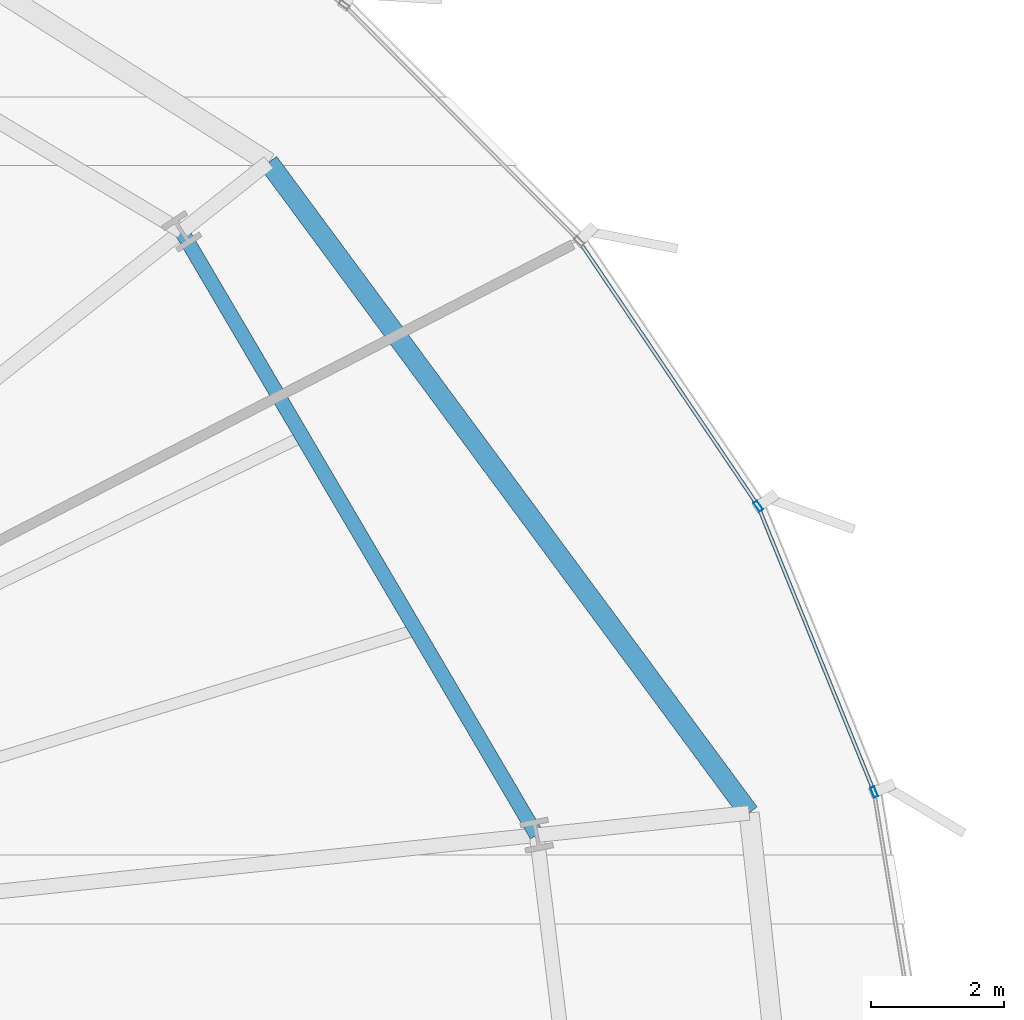
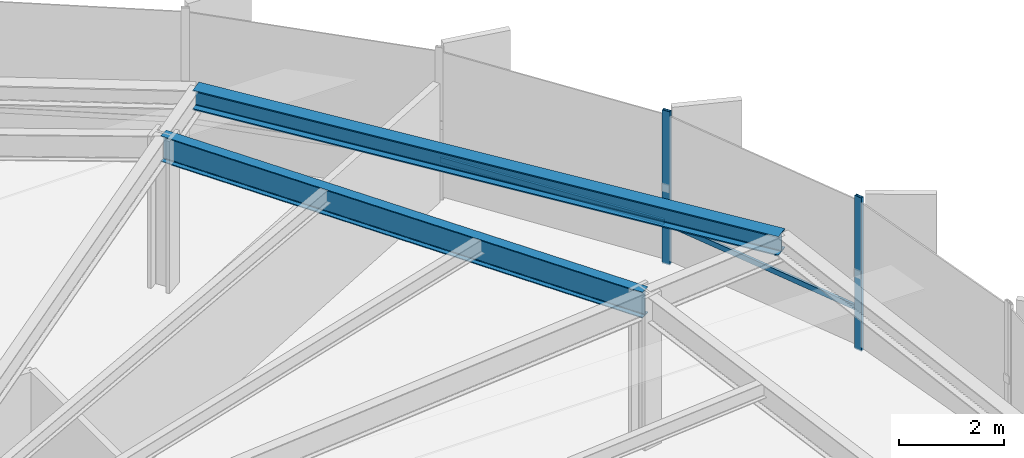
# One storey, part 23 of 39: 4 members, 2 beams, 1 element without a shape of its own.
"""IFC4 building model written with IfcOpenShell, lengths in metres."""

from ifc_helpers import new_model, si_unit, direction, frame, origin, origin_2d, place, context, subcontext, project, spatial, hollow_rectangle, i_section, extrude, source, transform, mapped, material, layer, layer_set, material_profile, profile_set, type_object, element, aggregate, save


model = new_model("IFC4")

# Units and contexts
model_context = context("Model", 3, precision=1e-05, world=origin(), true_north=direction((0.0, 1.0)))
body_context = subcontext(model_context, "Body", "Model", "MODEL_VIEW")
ifc_project = project(units=[si_unit("LENGTHUNIT", "METRE"), si_unit("AREAUNIT", "SQUARE_METRE"), si_unit("VOLUMEUNIT", "CUBIC_METRE"), si_unit("PLANEANGLEUNIT", "RADIAN"), si_unit("MASSUNIT", "GRAM", prefix="KILO"), si_unit("THERMODYNAMICTEMPERATUREUNIT", "KELVIN")], contexts=[model_context])

# Site, building, storey
site_placement = place(None, origin())
site = spatial("IfcSite", under=ifc_project, at=site_placement, CompositionType="ELEMENT")
building_placement = place(site_placement, origin())
building = spatial("IfcBuilding", under=site, at=building_placement, Name="Kethvar Cultural Tower", CompositionType="ELEMENT")
storey_placement = place(building_placement, frame((0.0, 0.0, 41.0)))
storey = spatial("IfcBuildingStorey", under=building, at=storey_placement, Name="L09", CompositionType="ELEMENT", Elevation=41.0)

# Beams
ifc_material_1 = material(Name="Steel S355J2", Category="steel")
ifc_material_profile_1 = material_profile(ifc_material_1, i_section(OverallWidth=0.219970703125, OverallDepth=0.60009765625, WebThickness=0.011962890625, FlangeThickness=0.01904296875, FilletRadius=0.02392578125, at=origin_2d()), Name="Steel S355J2 — IPE600")
ifc_profile_set_1 = profile_set([ifc_material_profile_1], Name="Steel S355J2 — IPE600")
beam_type_1 = type_object("IfcBeamType", Name="BM-IPE600", PredefinedType="BEAM", material=ifc_profile_set_1)
shared_shape_1 = source(origin(), body_context, "Body", "SweptSolid", [
    extrude(i_section(OverallWidth=0.219970703125, OverallDepth=0.60009765625, WebThickness=0.011962890625, FlangeThickness=0.01904296875, FilletRadius=0.02392578125, at=origin_2d()), origin(), (0.0, 0.0, 1.0), 10.496337890625),
])
beam_1_placement = place(storey_placement, frame((73.65673828125, 33.14208984375, 3.248046875), z_axis=(-0.506871712474, 0.862021500366, 0.0), x_axis=(-0.862021500366, -0.506871712474, 0.0)))
element("IfcBeam", 1, at=beam_1_placement, inside=storey, type_object=beam_type_1, Name="L09 Column Ring Tie Beam CR-01", PredefinedType="BEAM", context=body_context, shape_type="MappedRepresentation", body=[
    mapped(shared_shape_1, transform((0.0, 0.0, 0.0), scale=1.0)),
])
ifc_material_profile_2 = material_profile(ifc_material_1, i_section(OverallWidth=0.300048828125, OverallDepth=0.449951171875, WebThickness=0.013916015625, FlangeThickness=0.02587890625, FilletRadius=0.027099609375, at=origin_2d()), Name="Steel S355J2 — HEB450")
ifc_profile_set_2 = profile_set([ifc_material_profile_2], Name="Steel S355J2 — HEB450")
beam_type_2 = type_object("IfcBeamType", Name="BM-SP450", PredefinedType="SPANDREL", material=ifc_profile_set_2)
shared_shape_2 = source(origin(), body_context, "Body", "SweptSolid", [
    extrude(i_section(OverallWidth=0.300048828125, OverallDepth=0.449951171875, WebThickness=0.013916015625, FlangeThickness=0.02587890625, FilletRadius=0.027099609375, at=origin_2d()), origin(), (0.0, 0.0, 1.0), 12.11767578125),
])
beam_2_placement = place(storey_placement, frame((76.83935546875, 33.4755859375, 3.322998046875), z_axis=(-0.594165574562, 0.804342756544, 0.0), x_axis=(-0.804342756544, -0.594165574562, 0.0)))
element("IfcBeam", 2, at=beam_2_placement, inside=storey, type_object=beam_type_2, Name="L09 Perimeter Spandrel Beam SP-01", PredefinedType="SPANDREL", context=body_context, shape_type="MappedRepresentation", body=[
    mapped(shared_shape_2, transform((0.0, 0.0, 0.0), scale=1.0)),
])

# Curtain wall, members
ifc_material_2 = material(Name="Aluminium 6063-T6", Category="aluminium")
ifc_layer = layer(ifc_material_2, 0.179931640625, Name="Aluminium 6063-T6", Category="aluminium")
ifc_layer_set = layer_set([ifc_layer], Name="Aluminium 6063-T6 (180 mm)")
curtain_wall_type = type_object("IfcCurtainWallType", Name="CW-SYS-02-Z1", PredefinedType="NOTDEFINED", material=ifc_layer_set)
curtain_wall_placement = place(storey_placement, origin())
curtain_wall = element("IfcCurtainWall", 3, at=curtain_wall_placement, inside=storey, type_object=curtain_wall_type, Name="L09 Curtain Wall Run 01", PredefinedType="NOTDEFINED")
ifc_material_profile_3 = material_profile(ifc_material_2, hollow_rectangle(XDim=0.06494140625, YDim=0.159912109375, WallThickness=0.0048828125, at=origin_2d()), Name="Aluminium 6063-T6 — RHS160x65x5")
ifc_profile_set_3 = profile_set([ifc_material_profile_3], Name="Aluminium 6063-T6 — RHS160x65x5")
member_type_1 = type_object("IfcMemberType", Name="CW-SYS-02-Z1-MUL", PredefinedType="MULLION", material=ifc_profile_set_3)
shared_shape_3 = source(origin(), body_context, "Body", "SweptSolid", [
    extrude(hollow_rectangle(XDim=0.06494140625, YDim=0.159912109375, WallThickness=0.0048828125, at=origin_2d()), origin(), (0.0, 0.0, 1.0), 3.550048828125),
])
member_1_placement = place(storey_placement, frame((78.71337890625, 33.7890625, 0.0), z_axis=(0.0, 0.0, 1.0), x_axis=(-0.926456383924, -0.376402136932, 0.0)))
member_1 = element("IfcMember", 4, at=member_1_placement, type_object=member_type_1, Name="CW-L09-R01 Mullion 2", PredefinedType="MULLION", context=body_context, shape_type="MappedRepresentation", body=[
    mapped(shared_shape_3, transform((0.0, 0.0, 0.0), scale=1.0)),
])
member_2_placement = place(storey_placement, frame((76.976318359375, 38.071044921875, 0.0), z_axis=(0.0, 0.0, 1.0), x_axis=(-0.828568813333, -0.559887240051, 0.0)))
member_2 = element("IfcMember", 5, at=member_2_placement, type_object=member_type_1, Name="CW-L09-R01 Mullion 3", PredefinedType="MULLION", context=body_context, shape_type="MappedRepresentation", body=[
    mapped(shared_shape_3, transform((0.0, 0.0, 0.0), scale=1.0)),
])
ifc_material_profile_4 = material_profile(ifc_material_2, hollow_rectangle(XDim=0.054931640625, YDim=0.1201171875, WallThickness=0.00390625, at=origin_2d()), Name="Aluminium 6063-T6 — RHS120x55x4")
ifc_profile_set_4 = profile_set([ifc_material_profile_4], Name="Aluminium 6063-T6 — RHS120x55x4")
member_type_2 = type_object("IfcMemberType", Name="CW-SYS-02-Z1-TRN", PredefinedType="USERDEFINED", material=ifc_profile_set_4)
shared_shape_4 = source(origin(), body_context, "Body", "SweptSolid", [
    extrude(hollow_rectangle(XDim=0.054931640625, YDim=0.1201171875, WallThickness=0.00390625, at=origin_2d()), origin(), (0.0, 0.0, 1.0), 4.55224609375),
])
member_3_placement = place(storey_placement, frame((78.69580078125, 33.83251953125, 0.949951171875), z_axis=(-0.376443220638, 0.92643969131, 0.0), x_axis=(-0.92643969131, -0.376443220638, 0.0)))
member_3 = element("IfcMember", 6, at=member_3_placement, type_object=member_type_2, Name="CW-L09-R01 Transom 2", ObjectType="TRANSOM", PredefinedType="USERDEFINED", context=body_context, shape_type="MappedRepresentation", body=[
    mapped(shared_shape_4, transform((0.0, 0.0, 0.0), scale=1.0)),
])
shared_shape_5 = source(origin(), body_context, "Body", "SweptSolid", [
    extrude(hollow_rectangle(XDim=0.054931640625, YDim=0.1201171875, WallThickness=0.00390625, at=origin_2d()), origin(), (0.0, 0.0, 1.0), 4.72021484375),
])
member_4_placement = place(storey_placement, frame((76.9501953125, 38.10986328125, 0.949951171875), z_axis=(-0.559881404052, 0.828572756851, 0.0), x_axis=(-0.828572756851, -0.559881404052, 0.0)))
member_4 = element("IfcMember", 7, at=member_4_placement, type_object=member_type_2, Name="CW-L09-R01 Transom 3", ObjectType="TRANSOM", PredefinedType="USERDEFINED", context=body_context, shape_type="MappedRepresentation", body=[
    mapped(shared_shape_5, transform((0.0, 0.0, 0.0), scale=1.0)),
])
aggregate(curtain_wall, [member_1, member_2, member_3, member_4])

save(model, "model.ifc")
